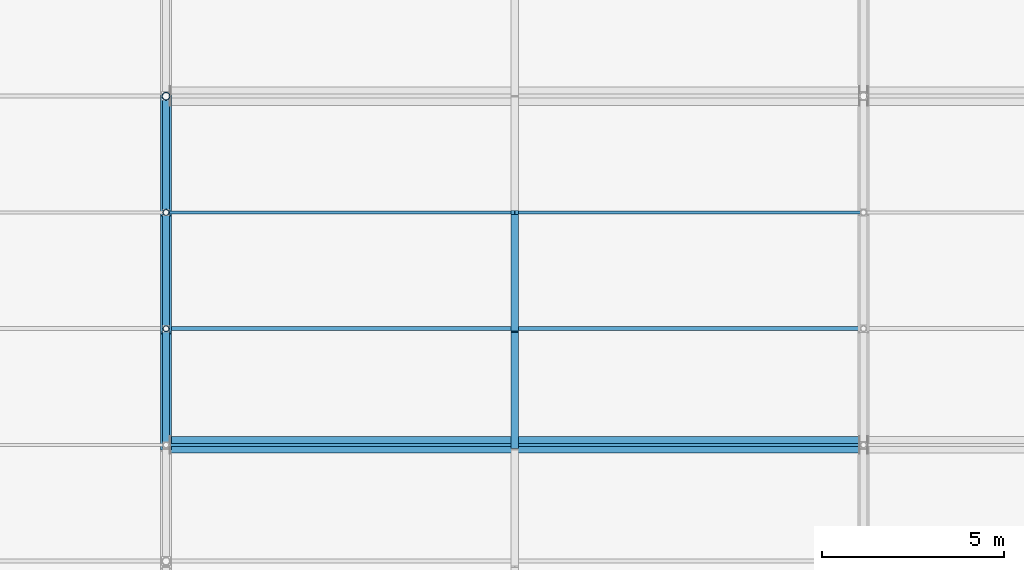
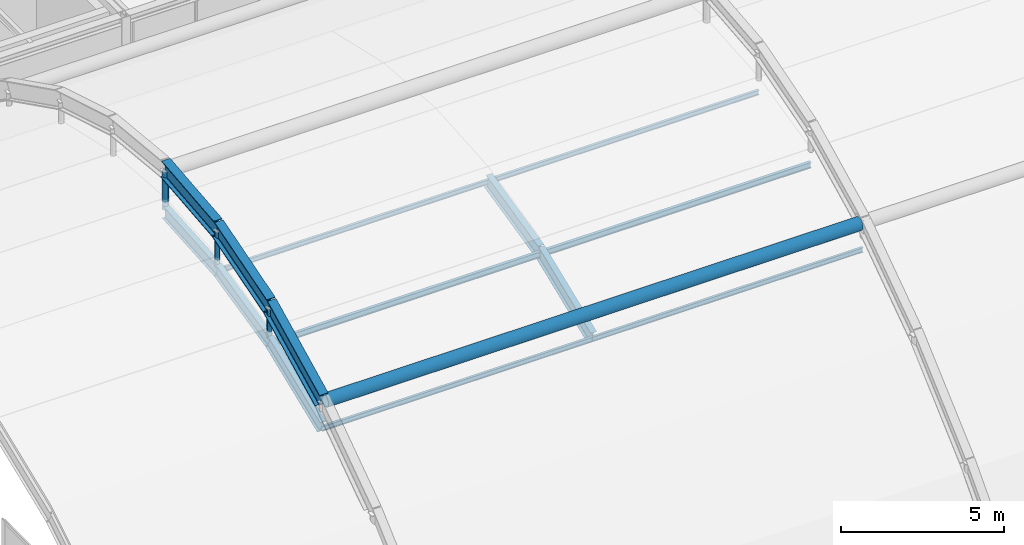
# One storey, part 43 of 126: 10 members, 8 beams.
"""IFC4 building model written with IfcOpenShell, lengths in metres."""

from ifc_helpers import new_model, si_unit, direction, frame, origin, origin_2d, place, context, subcontext, project, spatial, hollow_circle, i_section, extrude, material, material_profile, profile_set, type_object, element, save


model = new_model("IFC4")

# Units and contexts
model_context = context("Model", 3, precision=1e-05, world=origin(), true_north=direction((0.0, 1.0)))
body_context = subcontext(model_context, "Body", "Model", "MODEL_VIEW")
ifc_project = project(units=[si_unit("LENGTHUNIT", "METRE"), si_unit("AREAUNIT", "SQUARE_METRE"), si_unit("VOLUMEUNIT", "CUBIC_METRE"), si_unit("PLANEANGLEUNIT", "RADIAN"), si_unit("MASSUNIT", "GRAM", prefix="KILO")], contexts=[model_context])

# Site, building, storey
site_placement = place(None, origin())
site = spatial("IfcSite", under=ifc_project, at=site_placement, CompositionType="ELEMENT")
building_placement = place(site_placement, origin())
building = spatial("IfcBuilding", under=site, at=building_placement, Name="Coralgate Yard Interchange", CompositionType="ELEMENT")
storey_placement = place(building_placement, frame((0.0, 0.0, 10.5)))
storey = spatial("IfcBuildingStorey", under=building, at=storey_placement, Name="L02", CompositionType="ELEMENT", Elevation=10.5)

# Beams
ifc_material_1 = material(Name="Yellow-ochre weather-coated structural steel S355J2", Category="steel")
ifc_material_profile_1 = material_profile(ifc_material_1, i_section(OverallWidth=0.300048828125, OverallDepth=0.64990234375, WebThickness=0.01611328125, FlangeThickness=0.031005859375, FilletRadius=0.027099609375, at=origin_2d()), Name="HEB 650")
ifc_profile_set_1 = profile_set([ifc_material_profile_1], Name="Yellow-ochre weather-coated structural steel S355J2")
beam_type_1 = type_object("IfcBeamType", Name="BM-AR-1", PredefinedType="BEAM", material=ifc_profile_set_1)
beam_1_placement = place(storey_placement, frame((48.0, 48.0, 10.324951171875), z_axis=(0.0, 0.894740986573, 0.446585453129), x_axis=(-1.0, 0.0, 0.0)))
element("IfcBeam", 1, at=beam_1_placement, inside=storey, type_object=beam_type_1, Name="Yellow-ochre overarching steel arch AR-1 chord 5", PredefinedType="BEAM", context=body_context, shape_type="SweptSolid", body=[
    extrude(i_section(OverallWidth=0.300048828125, OverallDepth=0.64990234375, WebThickness=0.01611328125, FlangeThickness=0.031005859375, FilletRadius=0.027099609375, at=origin_2d()), origin(), (0.0, 0.0, 1.0), 3.576416015625),
])
beam_2_placement = place(storey_placement, frame((48.0, 51.199951171875, 11.922119140625), z_axis=(0.0, 0.957948903279, 0.286938841403), x_axis=(-1.0, 0.0, 0.0)))
element("IfcBeam", 2, at=beam_2_placement, inside=storey, type_object=beam_type_1, Name="Yellow-ochre overarching steel arch AR-1 chord 6", PredefinedType="BEAM", context=body_context, shape_type="SweptSolid", body=[
    extrude(i_section(OverallWidth=0.300048828125, OverallDepth=0.64990234375, WebThickness=0.01611328125, FlangeThickness=0.031005859375, FilletRadius=0.027099609375, at=origin_2d()), origin(), (0.0, 0.0, 1.0), 3.34033203125),
])
beam_3_placement = place(storey_placement, frame((48.0, 54.39990234375, 12.880615234375), z_axis=(0.0, 0.995058212944, 0.0992932669), x_axis=(-1.0, 0.0, 0.0)))
element("IfcBeam", 3, at=beam_3_placement, inside=storey, type_object=beam_type_1, Name="Yellow-ochre overarching steel arch AR-1 chord 7", PredefinedType="BEAM", context=body_context, shape_type="SweptSolid", body=[
    extrude(i_section(OverallWidth=0.300048828125, OverallDepth=0.64990234375, WebThickness=0.01611328125, FlangeThickness=0.031005859375, FilletRadius=0.027099609375, at=origin_2d()), origin(), (0.0, 0.0, 1.0), 3.216064453125),
])
ifc_material_2 = material(Name="Weather-coated structural steel S355J2", Category="steel")
ifc_material_profile_2 = material_profile(ifc_material_2, i_section(OverallWidth=0.209228515625, OverallDepth=0.533203125, WebThickness=0.010009765625, FlangeThickness=0.015625, FilletRadius=0.0126953125, at=origin_2d()), Name="UB 533x210x92")
ifc_profile_set_2 = profile_set([ifc_material_profile_2], Name="Weather-coated structural steel S355J2")
beam_type_2 = type_object("IfcBeamType", Name="BM-VR-1", PredefinedType="BEAM", material=ifc_profile_set_2)
beam_4_placement = place(storey_placement, frame((57.60009765625, 48.0, 9.2958984375), z_axis=(0.0, 0.927713244188, 0.373293633161), x_axis=(-1.0, 0.0, 0.0)))
element("IfcBeam", 4, at=beam_4_placement, inside=storey, type_object=beam_type_2, Name="Barrel-vault gridshell rib 3 seg 4", PredefinedType="BEAM", context=body_context, shape_type="SweptSolid", body=[
    extrude(i_section(OverallWidth=0.209228515625, OverallDepth=0.533203125, WebThickness=0.010009765625, FlangeThickness=0.015625, FilletRadius=0.0126953125, at=origin_2d()), origin(), (0.0, 0.0, 1.0), 3.44921875),
])
beam_5_placement = place(storey_placement, frame((57.60009765625, 51.199951171875, 10.58349609375), z_axis=(0.0, 0.974597563071, 0.223963367664), x_axis=(-1.0, 0.0, 0.0)))
element("IfcBeam", 5, at=beam_5_placement, inside=storey, type_object=beam_type_2, Name="Barrel-vault gridshell rib 3 seg 5", PredefinedType="BEAM", context=body_context, shape_type="SweptSolid", body=[
    extrude(i_section(OverallWidth=0.209228515625, OverallDepth=0.533203125, WebThickness=0.010009765625, FlangeThickness=0.015625, FilletRadius=0.0126953125, at=origin_2d()), origin(), (0.0, 0.0, 1.0), 3.283447265625),
])
ifc_material_profile_3 = material_profile(ifc_material_2, i_section(OverallWidth=0.199951171875, OverallDepth=0.5, WebThickness=0.01025390625, FlangeThickness=0.01611328125, FilletRadius=0.02099609375, at=origin_2d()), Name="IPE 500")
ifc_profile_set_3 = profile_set([ifc_material_profile_3], Name="Weather-coated structural steel S355J2")
beam_type_3 = type_object("IfcBeamType", Name="BM-VR-2", PredefinedType="BEAM", material=ifc_profile_set_3)
beam_6_placement = place(storey_placement, frame((48.0, 48.0, 9.3125), z_axis=(0.0, 0.927713244188, 0.373293633161), x_axis=(-1.0, 0.0, 0.0)))
element("IfcBeam", 6, at=beam_6_placement, inside=storey, type_object=beam_type_3, Name="Barrel-vault gridshell rib 2 seg 4", PredefinedType="BEAM", context=body_context, shape_type="SweptSolid", body=[
    extrude(i_section(OverallWidth=0.199951171875, OverallDepth=0.5, WebThickness=0.01025390625, FlangeThickness=0.01611328125, FilletRadius=0.02099609375, at=origin_2d()), origin(), (0.0, 0.0, 1.0), 3.44921875),
])
beam_7_placement = place(storey_placement, frame((48.0, 51.199951171875, 10.60009765625), z_axis=(0.0, 0.974613791, 0.22389273859), x_axis=(-1.0, 0.0, 0.0)))
element("IfcBeam", 7, at=beam_7_placement, inside=storey, type_object=beam_type_3, Name="Barrel-vault gridshell rib 2 seg 5", PredefinedType="BEAM", context=body_context, shape_type="SweptSolid", body=[
    extrude(i_section(OverallWidth=0.199951171875, OverallDepth=0.5, WebThickness=0.01025390625, FlangeThickness=0.01611328125, FilletRadius=0.02099609375, at=origin_2d()), origin(), (0.0, 0.0, 1.0), 3.283203125),
])
beam_8_placement = place(storey_placement, frame((48.0, 54.39990234375, 11.335205078125), z_axis=(0.0, 0.997211212266, 0.074631080198), x_axis=(-1.0, 0.0, 0.0)))
element("IfcBeam", 8, at=beam_8_placement, inside=storey, type_object=beam_type_3, Name="Barrel-vault gridshell rib 2 seg 6", PredefinedType="BEAM", context=body_context, shape_type="SweptSolid", body=[
    extrude(i_section(OverallWidth=0.199951171875, OverallDepth=0.5, WebThickness=0.01025390625, FlangeThickness=0.01611328125, FilletRadius=0.02099609375, at=origin_2d()), origin(), (0.0, 0.0, 1.0), 3.209228515625),
])

# Members
ifc_material_profile_4 = material_profile(ifc_material_1, hollow_circle(Radius=0.228515625, WallThickness=0.01611328125, at=origin_2d()), Name="CHS 457x16")
ifc_profile_set_4 = profile_set([ifc_material_profile_4], Name="Yellow-ochre weather-coated structural steel S355J2")
member_type_1 = type_object("IfcMemberType", Name="MB-GC-7", PredefinedType="CHORD", material=ifc_profile_set_4)
member_1_placement = place(storey_placement, frame((48.1201171875, 48.0, 10.25), z_axis=(1.0, 0.0, 0.0), x_axis=(0.0, 1.0, 0.0)))
element("IfcMember", 9, at=member_1_placement, inside=storey, type_object=member_type_1, Name="Arch longitudinal tie strut 1-S", PredefinedType="CHORD", context=body_context, shape_type="SweptSolid", body=[
    extrude(hollow_circle(Radius=0.228515625, WallThickness=0.01611328125, at=origin_2d()), origin(), (0.0, 0.0, 1.0), 18.9599609375),
])
ifc_material_profile_5 = material_profile(ifc_material_1, hollow_circle(Radius=0.109619140625, WallThickness=0.010009765625, at=origin_2d()), Name="CHS 219.1x10")
ifc_profile_set_5 = profile_set([ifc_material_profile_5], Name="Yellow-ochre weather-coated structural steel S355J2")
member_type_2 = type_object("IfcMemberType", Name="MB-HG-1", PredefinedType="STRUT", material=ifc_profile_set_5)
member_2_placement = place(storey_placement, frame((48.0, 57.60009765625, 11.6748046875), z_axis=(0.0, 0.0, 1.0), x_axis=(1.0, 0.0, 0.0)))
element("IfcMember", 10, at=member_2_placement, inside=storey, type_object=member_type_2, Name="Arch AR-1 steel suspension hanger 6", PredefinedType="STRUT", context=body_context, shape_type="SweptSolid", body=[
    extrude(hollow_circle(Radius=0.109619140625, WallThickness=0.010009765625, at=origin_2d()), origin(), (0.0, 0.0, 1.0), 1.42529296875),
])
ifc_material_profile_6 = material_profile(ifc_material_1, hollow_circle(Radius=0.084228515625, WallThickness=0.008056640625, at=origin_2d()), Name="CHS 168.3x8")
ifc_profile_set_6 = profile_set([ifc_material_profile_6], Name="Yellow-ochre weather-coated structural steel S355J2")
member_type_3 = type_object("IfcMemberType", Name="MB-HG-2", PredefinedType="STRUT", material=ifc_profile_set_6)
member_3_placement = place(storey_placement, frame((48.0, 51.199951171875, 10.7001953125), z_axis=(0.0, 0.0, 1.0), x_axis=(1.0, 0.0, 0.0)))
element("IfcMember", 11, at=member_3_placement, inside=storey, type_object=member_type_3, Name="Arch AR-1 steel suspension hanger 4", PredefinedType="STRUT", context=body_context, shape_type="SweptSolid", body=[
    extrude(hollow_circle(Radius=0.084228515625, WallThickness=0.008056640625, at=origin_2d()), origin(), (0.0, 0.0, 1.0), 1.1220703125),
])
member_4_placement = place(storey_placement, frame((48.0, 54.39990234375, 11.435302734375), z_axis=(0.0, 0.0, 1.0), x_axis=(1.0, 0.0, 0.0)))
element("IfcMember", 12, at=member_4_placement, inside=storey, type_object=member_type_3, Name="Arch AR-1 steel suspension hanger 5", PredefinedType="STRUT", context=body_context, shape_type="SweptSolid", body=[
    extrude(hollow_circle(Radius=0.084228515625, WallThickness=0.008056640625, at=origin_2d()), origin(), (0.0, 0.0, 1.0), 1.34521484375),
])
ifc_material_profile_7 = material_profile(ifc_material_2, i_section(OverallWidth=0.110107421875, OverallDepth=0.219970703125, WebThickness=0.005859375, FlangeThickness=0.00927734375, FilletRadius=0.011962890625, at=origin_2d()), Name="IPE 220")
ifc_profile_set_7 = profile_set([ifc_material_profile_7], Name="Weather-coated structural steel S355J2")
member_type_4 = type_object("IfcMemberType", Name="MB-PR-1", PredefinedType="PURLIN", material=ifc_profile_set_7)
for number, where, z_axis, x_axis, name in (
    (13, (48.001953125, 51.199951171875, 10.489990234375), (1.0, 0.0, 0.0), (0.0, 1.0, 0.0), "Barrel-vault gridshell purlin 2-5"),
    (14, (57.60205078125, 51.199951171875, 10.489990234375), (1.0, 0.0, 0.0), (0.0, 1.0, 0.0), "Barrel-vault gridshell purlin 3-5"),
):
    element("IfcMember", number, at=place(storey_placement, frame(where, z_axis=z_axis, x_axis=x_axis)), inside=storey, type_object=member_type_4, Name=name, PredefinedType="PURLIN", context=body_context, shape_type="SweptSolid", body=[
        extrude(i_section(OverallWidth=0.110107421875, OverallDepth=0.219970703125, WebThickness=0.005859375, FlangeThickness=0.00927734375, FilletRadius=0.011962890625, at=origin_2d()), origin(), (0.0, 0.0, 1.0), 9.595947265625),
    ])
ifc_material_3 = material(Name="Off-white architectural structural steel S355J2", Category="steel")
ifc_material_profile_8 = material_profile(ifc_material_3, i_section(OverallWidth=0.091064453125, OverallDepth=0.179931640625, WebThickness=0.00537109375, FlangeThickness=0.008056640625, FilletRadius=0.009033203125, at=origin_2d()), Name="IPE 180")
ifc_profile_set_8 = profile_set([ifc_material_profile_8], Name="Off-white architectural structural steel S355J2")
member_type_5 = type_object("IfcMemberType", Name="MB-PR-2", PredefinedType="PURLIN", material=ifc_profile_set_8)
for number, where, z_axis, x_axis, name in (
    (15, (48.001953125, 48.0, 9.242431640625), (1.0, 0.0, 0.0), (0.0, 1.0, 0.0), "Barrel-vault gridshell purlin 2-4"),
    (16, (48.001953125, 54.39990234375, 11.265380859375), (1.0, 0.0, 0.0), (0.0, 1.0, 0.0), "Barrel-vault gridshell purlin 2-6"),
    (17, (57.60205078125, 48.0, 9.242431640625), (1.0, 0.0, 0.0), (0.0, 1.0, 0.0), "Barrel-vault gridshell purlin 3-4"),
    (18, (57.60205078125, 54.39990234375, 11.265380859375), (1.0, 0.0, 0.0), (0.0, 1.0, 0.0), "Barrel-vault gridshell purlin 3-6"),
):
    element("IfcMember", number, at=place(storey_placement, frame(where, z_axis=z_axis, x_axis=x_axis)), inside=storey, type_object=member_type_5, Name=name, PredefinedType="PURLIN", context=body_context, shape_type="SweptSolid", body=[
        extrude(i_section(OverallWidth=0.091064453125, OverallDepth=0.179931640625, WebThickness=0.00537109375, FlangeThickness=0.008056640625, FilletRadius=0.009033203125, at=origin_2d()), origin(), (0.0, 0.0, 1.0), 9.595947265625),
    ])

save(model, "model.ifc")
